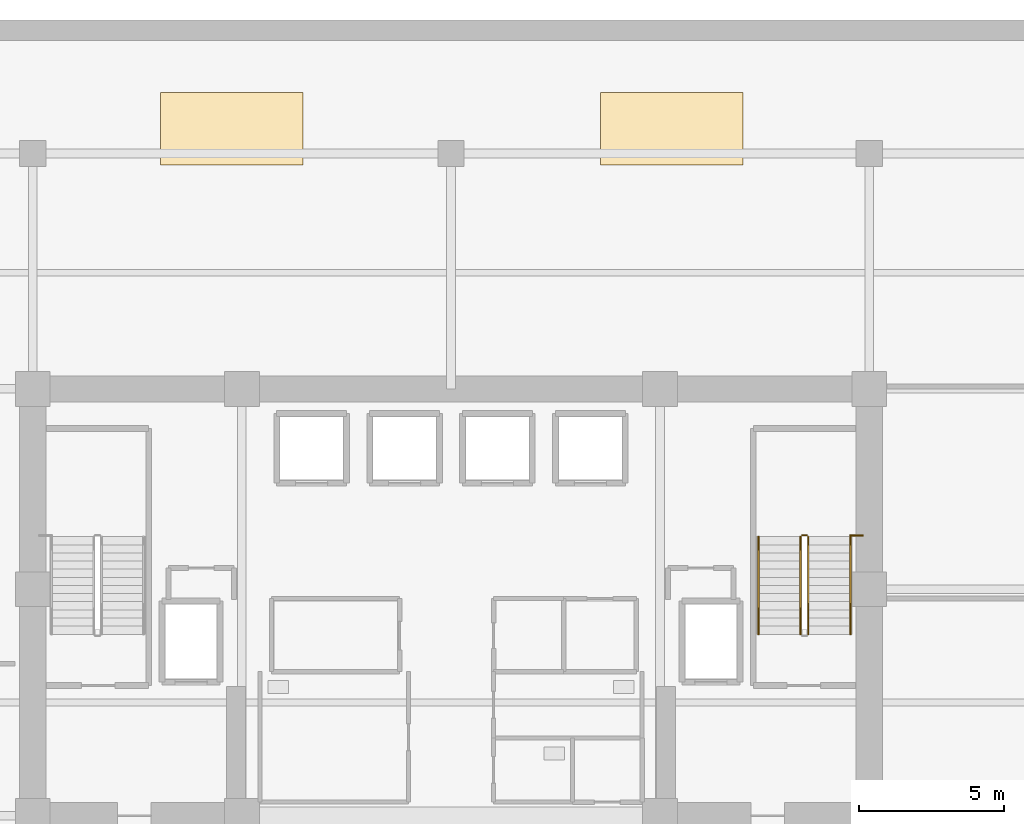
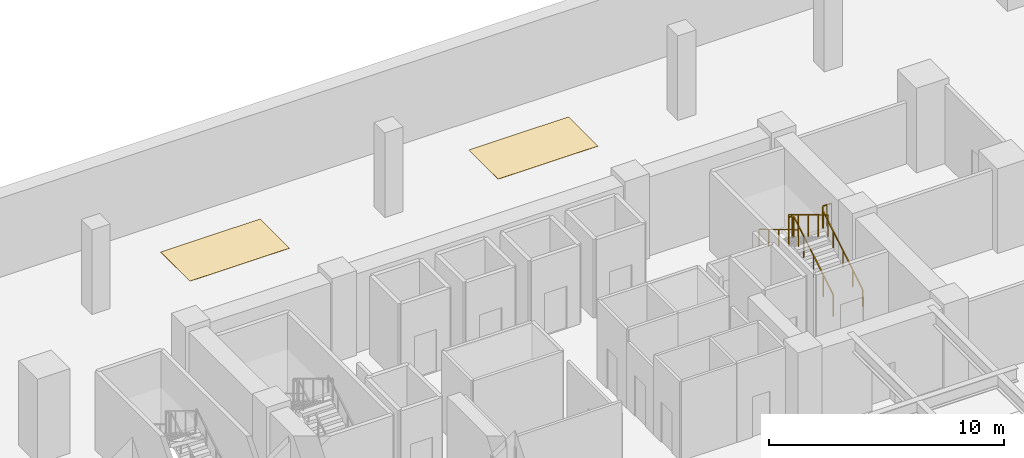
# One storey, part 12 of 14: 6 railings, 2 coverings.
"""IFC4 building model written with IfcOpenShell, lengths in metres."""

import ifcopenshell
import ifcopenshell.guid

model = None  # the IFC model being written
_history = None  # IfcOwnerHistory: only IFC2X3 demands one
_inside = {}  # id of a spatial element -> (the spatial element, [elements in it])
_under = {}  # id of a project, library or spatial element -> (it, [spatial elements below it])
_declared = {}  # id of a project -> (the project, [libraries it declares])
_typed = {}  # id of a type object -> (the type object, [elements of that type])
_made_of = {}  # id of a material, layer set ... -> (it, [elements and type objects made of it])


def new_model(schema):
    """Start an empty IFC model of exactly this schema.

    Asked for "IFC4X3", IfcOpenShell would pick the latest addendum, in which some entities
    have other attributes; the version numbers below select the first issue.
    IFC2X3 requires an IfcOwnerHistory on every rooted entity: one is made here for all.
    """
    global model, _history
    if schema == "IFC4X3":
        model = ifcopenshell.file(schema_version=(4, 3, 0, 0))
    else:
        model = ifcopenshell.file(schema=schema)
    _inside.clear()
    _under.clear()
    _declared.clear()
    _typed.clear()
    _made_of.clear()
    _history = None
    if model.schema == "IFC2X3":
        org = make("IfcOrganization", Name="unknown")
        user = make(
            "IfcPersonAndOrganization",
            ThePerson=make("IfcPerson", FamilyName="unknown"),
            TheOrganization=org,
        )
        app = make(
            "IfcApplication",
            ApplicationDeveloper=org,
            Version="unknown",
            ApplicationFullName="unknown",
            ApplicationIdentifier="unknown",
        )
        _history = make(
            "IfcOwnerHistory",
            OwningUser=user,
            OwningApplication=app,
            ChangeAction="ADDED",
            CreationDate=0,
        )
    return model


def make(cls, **values):
    """One entity of the class cls with the attributes given. An attribute that is None is left unset."""
    return model.create_entity(
        cls, **{name: value for name, value in values.items() if value is not None}
    )


def rooted(cls, **values):
    """An entity with a GlobalId (a new one), such as an element, a storey or a relation."""
    return make(cls, GlobalId=ifcopenshell.guid.new(), OwnerHistory=_history, **values)


def si_unit(unit_type, name, prefix=None):
    """IfcSIUnit, for example si_unit("LENGTHUNIT", "METRE", prefix="MILLI")."""
    return make("IfcSIUnit", UnitType=unit_type, Prefix=prefix, Name=name)


def assignment(units):
    """IfcUnitAssignment: the units of a project."""
    return None if units is None else make("IfcUnitAssignment", Units=units)


def point(xyz):
    """IfcCartesianPoint."""
    return None if xyz is None else make("IfcCartesianPoint", Coordinates=xyz)


def direction(xyz):
    """IfcDirection."""
    return None if xyz is None else make("IfcDirection", DirectionRatios=xyz)


def frame(location, z_axis=None, x_axis=None):
    """IfcAxis2Placement3D, a coordinate frame: its origin and axes. An axis left out is left unset."""
    return make(
        "IfcAxis2Placement3D",
        Location=point(location),
        Axis=direction(z_axis),
        RefDirection=direction(x_axis),
    )


def frame_2d(location, x_axis=None):
    """IfcAxis2Placement2D, a coordinate frame in the plane: its origin and x axis."""
    return make(
        "IfcAxis2Placement2D", Location=point(location), RefDirection=direction(x_axis)
    )


def origin():
    """The frame at (0, 0, 0) with its axes left unset."""
    return frame((0.0, 0.0, 0.0))


def origin_2d():
    """The frame at (0, 0) in the plane with its x axis left unset."""
    return frame_2d((0.0, 0.0))


def place(relative_to, where):
    """IfcLocalPlacement: puts the frame where relative to a parent placement (None: the world)."""
    return make(
        "IfcLocalPlacement", PlacementRelTo=relative_to, RelativePlacement=where
    )


def context(
    kind, dimensions, precision=None, world=None, true_north=None, identifier=None
):
    """IfcGeometricRepresentationContext, for example the 3D "Model" context."""
    return make(
        "IfcGeometricRepresentationContext",
        ContextIdentifier=identifier,
        ContextType=kind,
        CoordinateSpaceDimension=dimensions,
        Precision=precision,
        WorldCoordinateSystem=world,
        TrueNorth=true_north,
    )


def subcontext(parent, identifier, kind, view, scale=None):
    """IfcGeometricRepresentationSubContext, for example "Body" below "Model"."""
    return make(
        "IfcGeometricRepresentationSubContext",
        ContextIdentifier=identifier,
        ContextType=kind,
        ParentContext=parent,
        TargetScale=scale,
        TargetView=view,
    )


def project(units=None, contexts=None):
    """IfcProject with its units and contexts."""
    return rooted(
        "IfcProject",
        Name="project",
        RepresentationContexts=contexts,
        UnitsInContext=assignment(units),
    )


def spatial(cls, under=None, at=None, **own):
    """A site, building, storey or space (cls), placed at a placement, below another one or the project."""
    s = rooted(cls, ObjectPlacement=at, **own)
    if under is not None:
        _under.setdefault(under.id(), (under, []))[1].append(s)
    return s


def polyline(points):
    """IfcPolyline through the points."""
    return make("IfcPolyline", Points=[point(p) for p in points])


def profile(cls, at=None, kind="AREA", **sizes):
    """A parametric profile (cls). Its sizes go by their IFC names, for example OverallWidth=200.0."""
    return make(cls, ProfileType=kind, Position=at, **sizes)


def rectangle(**sizes):
    """IfcRectangleProfileDef."""
    return profile("IfcRectangleProfileDef", **sizes)


def outline(outer, holes=None, kind="AREA"):
    """IfcArbitraryClosedProfileDef: a profile drawn as a closed curve; with holes, ...WithVoids."""
    if holes is None:
        return make("IfcArbitraryClosedProfileDef", ProfileType=kind, OuterCurve=outer)
    return make(
        "IfcArbitraryProfileDefWithVoids",
        ProfileType=kind,
        OuterCurve=outer,
        InnerCurves=holes,
    )


def extrude(swept, where, along, depth):
    """IfcExtrudedAreaSolid: the profile swept, set in the frame where, extruded along a direction by depth."""
    return make(
        "IfcExtrudedAreaSolid",
        SweptArea=swept,
        Position=where,
        ExtrudedDirection=direction(along),
        Depth=depth,
    )


def shape(context_of_items, identifier, shape_type, items):
    """IfcShapeRepresentation: the items that make up one representation, for example the "Body"."""
    return make(
        "IfcShapeRepresentation",
        ContextOfItems=context_of_items,
        RepresentationIdentifier=identifier,
        RepresentationType=shape_type,
        Items=items,
    )


def material(Name=None, Category=None):
    """IfcMaterial."""
    return make("IfcMaterial", Name=Name, Category=Category)


def layer(
    of_material, thickness, ventilated=None, Name=None, Category=None, Priority=None
):
    """IfcMaterialLayer: one layer of a wall or slab, of a material (None: an air gap)."""
    return make(
        "IfcMaterialLayer",
        Material=of_material,
        LayerThickness=thickness,
        IsVentilated=ventilated,
        Name=Name,
        Category=Category,
        Priority=Priority,
    )


def layer_set(layers, Name=None):
    """IfcMaterialLayerSet."""
    return make("IfcMaterialLayerSet", MaterialLayers=layers, LayerSetName=Name)


def made_of(thing, what):
    """Note that an element or type object is made of a material, layer set ...; save() writes the relation."""
    if what is not None:
        _made_of.setdefault(what.id(), (what, []))[1].append(thing)
    return thing


def type_object(cls, material=None, **own):
    """A type object (cls), such as IfcWallType, which elements share."""
    return made_of(rooted(cls, **own), material)


def element(
    cls,
    number,
    at=None,
    inside=None,
    cuts=None,
    type_object=None,
    material=None,
    context=None,
    identifier="Body",
    shape_type=None,
    held_by="IfcProductDefinitionShape",
    body=None,
    shapes=None,
    **own,
):
    """One element of the class cls, such as IfcWall. Its Tag is "e" and its number.

    at: its placement. inside: the storey or other place that contains it. cuts: it is an
    opening in that element (IfcRelVoidsElement). A single representation is given by context,
    identifier, shape_type and body (its items); several are given by shapes. held_by: the class
    of the entity that holds the representations. save() writes the other relations.
    """
    e = rooted(cls, Tag="e%d" % number, ObjectPlacement=at, **own)
    if body is not None:
        shapes = [shape(context, identifier, shape_type, body)]
    if shapes is not None:
        e.Representation = make(held_by, Representations=shapes)
    if inside is not None:
        _inside.setdefault(inside.id(), (inside, []))[1].append(e)
    if cuts is not None:
        rooted(
            "IfcRelVoidsElement", RelatingBuildingElement=cuts, RelatedOpeningElement=e
        )
    if type_object is not None:
        _typed.setdefault(type_object.id(), (type_object, []))[1].append(e)
    return made_of(e, material)


def aggregate(whole, parts):
    """IfcRelAggregates: a whole, such as a stair, and the parts it consists of."""
    return rooted("IfcRelAggregates", RelatingObject=whole, RelatedObjects=parts)


def save(model, path):
    """Write the relations noted so far, then the file.

    IfcRelAggregates (storeys below a building ...), IfcRelContainedInSpatialStructure (elements
    in a storey), IfcRelDefinesByType, IfcRelAssociatesMaterial and IfcRelDeclares: one each for
    every whole, place, type object, material and project.
    """
    for whole, parts in _under.values():
        aggregate(whole, parts)
    for where, things in _inside.values():
        rooted(
            "IfcRelContainedInSpatialStructure",
            RelatedElements=things,
            RelatingStructure=where,
        )
    for kind, things in _typed.values():
        rooted("IfcRelDefinesByType", RelatedObjects=things, RelatingType=kind)
    for what, things in _made_of.values():
        rooted("IfcRelAssociatesMaterial", RelatedObjects=things, RelatingMaterial=what)
    for by, libraries in _declared.values():
        rooted("IfcRelDeclares", RelatingContext=by, RelatedDefinitions=libraries)
    model.write(path)


model = new_model("IFC4")

# Units and contexts
model_context = context("Model", 3, precision=1e-05, world=origin(), true_north=direction((0.0, 1.0)))
body_context = subcontext(model_context, "Body", "Model", "MODEL_VIEW")
ifc_project = project(units=[si_unit("LENGTHUNIT", "METRE"), si_unit("AREAUNIT", "SQUARE_METRE"), si_unit("VOLUMEUNIT", "CUBIC_METRE"), si_unit("PLANEANGLEUNIT", "RADIAN"), si_unit("MASSUNIT", "GRAM", prefix="KILO")], contexts=[model_context])

# Site, building, storey
site_placement = place(None, origin())
site = spatial("IfcSite", under=ifc_project, at=site_placement, CompositionType="ELEMENT")
building_placement = place(site_placement, origin())
building = spatial("IfcBuilding", under=site, at=building_placement, Name="Zarnakvel Exchange Tower", CompositionType="ELEMENT")
storey_placement = place(building_placement, frame((0.0, 0.0, -4.39990234375)))
storey = spatial("IfcBuildingStorey", under=building, at=storey_placement, Name="B01", CompositionType="ELEMENT", Elevation=-4.39990234375)

# Railings
ifc_material_1 = material(Name="Brushed Stainless Steel", Category="steel")
railing_type_1 = type_object("IfcRailingType", Name="HR-01", PredefinedType="HANDRAIL", material=ifc_material_1)
railing_1_placement = place(storey_placement, frame((13.75, 5.050048828125, 0.169189453125)))
element("IfcRailing", 1, at=railing_1_placement, inside=storey, type_object=railing_type_1, Name="B01 ST-02 stair handrail 1", PredefinedType="HANDRAIL", context=body_context, shape_type="SweptSolid", body=[
    extrude(rectangle(XDim=0.048095703125, YDim=0.048095703125, at=origin_2d()), frame((0.0, 0.0, 0.8759765625), z_axis=(0.0, 0.855820338506, 0.51727318527), x_axis=(-1.0, 0.0, 0.0)), (0.0, 0.0, 1.0), 3.92578125),
    extrude(rectangle(XDim=0.0419921875, YDim=0.0419921875, at=origin_2d()), origin(), (0.0, 0.0, 1.0), 0.851806640625),
    extrude(rectangle(XDim=0.0419921875, YDim=0.0419921875, at=origin_2d()), frame((0.0, 0.83984375, 0.5078125)), (0.0, 0.0, 1.0), 0.851806640625),
    extrude(rectangle(XDim=0.0419921875, YDim=0.0419921875, at=origin_2d()), frame((0.0, 1.679931640625, 1.015380859375)), (0.0, 0.0, 1.0), 0.851806640625),
    extrude(rectangle(XDim=0.0419921875, YDim=0.0419921875, at=origin_2d()), frame((0.0, 2.52001953125, 1.52294921875)), (0.0, 0.0, 1.0), 0.851806640625),
    extrude(rectangle(XDim=0.0419921875, YDim=0.0419921875, at=origin_2d()), frame((0.0, 3.35986328125, 2.03076171875)), (0.0, 0.0, 1.0), 0.851806640625),
])
railing_2_placement = place(storey_placement, frame((10.590087890625, 8.409912109375, 2.369140625)))
element("IfcRailing", 2, at=railing_2_placement, inside=storey, type_object=railing_type_1, Name="B01 ST-02 stair handrail 2", PredefinedType="HANDRAIL", context=body_context, shape_type="SweptSolid", body=[
    extrude(rectangle(XDim=0.048095703125, YDim=0.048095703125, at=origin_2d()), frame((0.0, 0.0, 0.8759765625), z_axis=(0.0, -0.855820338506, 0.51727318527), x_axis=(1.0, 0.0, 0.0)), (0.0, 0.0, 1.0), 3.92578125),
    extrude(rectangle(XDim=0.0419921875, YDim=0.0419921875, at=origin_2d()), origin(), (0.0, 0.0, 1.0), 0.851806640625),
    extrude(rectangle(XDim=0.0419921875, YDim=0.0419921875, at=origin_2d()), frame((0.0, -0.83984375, 0.5078125)), (0.0, 0.0, 1.0), 0.851806640625),
    extrude(rectangle(XDim=0.0419921875, YDim=0.0419921875, at=origin_2d()), frame((0.0, -1.679931640625, 1.015380859375)), (0.0, 0.0, 1.0), 0.851806640625),
    extrude(rectangle(XDim=0.0419921875, YDim=0.0419921875, at=origin_2d()), frame((0.0, -2.52001953125, 1.52294921875)), (0.0, 0.0, 1.0), 0.851806640625),
    extrude(rectangle(XDim=0.0419921875, YDim=0.0419921875, at=origin_2d()), frame((0.0, -3.35986328125, 2.03076171875)), (0.0, 0.0, 1.0), 0.851806640625),
])

# Coverings
ifc_material_2 = material(Name="Thermoplastic Acrylic Bay Marking", Category="finish")
ifc_layer = layer(ifc_material_2, 0.010009765625)
ifc_layer_set = layer_set([ifc_layer], Name="Thermoplastic Acrylic Bay Marking")
covering_type = type_object("IfcCoveringType", Name="MK-01", PredefinedType="FLOORING", material=ifc_layer_set)
covering_1_placement = place(storey_placement, origin())
element("IfcCovering", 3, at=covering_1_placement, inside=storey, type_object=covering_type, Name="B01 Standard Parking Bay Marking B01-38", PredefinedType="FLOORING", context=body_context, shape_type="SweptSolid", body=[
    extrude(outline(polyline([(-10.0, 21.199951171875), (-5.10009765625, 21.199951171875), (-5.10009765625, 23.699951171875), (-10.0, 23.699951171875), (-10.0, 21.199951171875)])), origin(), (0.0, 0.0, 1.0), 0.010009765625),
])
covering_2_placement = place(storey_placement, origin())
element("IfcCovering", 4, at=covering_2_placement, inside=storey, type_object=covering_type, Name="B01 Standard Parking Bay Marking B01-39", PredefinedType="FLOORING", context=body_context, shape_type="SweptSolid", body=[
    extrude(outline(polyline([(5.14990234375, 21.199951171875), (10.050048828125, 21.199951171875), (10.050048828125, 23.699951171875), (5.14990234375, 23.699951171875), (5.14990234375, 21.199951171875)])), origin(), (0.0, 0.0, 1.0), 0.010009765625),
])

# Railings
ifc_material_3 = material(Name="Architectural Bronze Anodised Aluminium", Category="aluminium")
railing_type_2 = type_object("IfcRailingType", Name="SG-01", PredefinedType="GUARDRAIL", material=ifc_material_3)
railing_3_placement = place(storey_placement, frame((12.300048828125, 5.050048828125, 0.169189453125)))
element("IfcRailing", 5, at=railing_3_placement, inside=storey, type_object=railing_type_2, Name="B01 ST-02 stair guard 1", PredefinedType="GUARDRAIL", context=body_context, shape_type="SweptSolid", body=[
    extrude(rectangle(XDim=0.048095703125, YDim=0.048095703125, at=origin_2d()), frame((0.0, 0.0, 1.1259765625), z_axis=(0.0, 0.855820338506, 0.51727318527), x_axis=(-1.0, 0.0, 0.0)), (0.0, 0.0, 1.0), 3.92578125),
    extrude(rectangle(XDim=0.0419921875, YDim=0.0419921875, at=origin_2d()), origin(), (0.0, 0.0, 1.0), 1.101806640625),
    extrude(rectangle(XDim=0.0419921875, YDim=0.0419921875, at=origin_2d()), frame((0.0, 0.83984375, 0.5078125)), (0.0, 0.0, 1.0), 1.101806640625),
    extrude(rectangle(XDim=0.0419921875, YDim=0.0419921875, at=origin_2d()), frame((0.0, 1.679931640625, 1.015380859375)), (0.0, 0.0, 1.0), 1.101806640625),
    extrude(rectangle(XDim=0.0419921875, YDim=0.0419921875, at=origin_2d()), frame((0.0, 2.52001953125, 1.52294921875)), (0.0, 0.0, 1.0), 1.101806640625),
    extrude(rectangle(XDim=0.0419921875, YDim=0.0419921875, at=origin_2d()), frame((0.0, 3.35986328125, 2.03076171875)), (0.0, 0.0, 1.0), 1.101806640625),
])
railing_4_placement = place(storey_placement, frame((12.25, 8.4599609375, 2.199951171875)))
element("IfcRailing", 6, at=railing_4_placement, inside=storey, type_object=railing_type_2, Name="B01 ST-02 stair guard 2", PredefinedType="GUARDRAIL", context=body_context, shape_type="SweptSolid", body=[
    extrude(rectangle(XDim=0.048095703125, YDim=0.048095703125, at=origin_2d()), frame((0.0, 0.0, 1.1259765625), z_axis=(-1.0, 0.0, 0.0), x_axis=(0.0, -1.0, 0.0)), (0.0, 0.0, 1.0), 0.159912109375),
    extrude(rectangle(XDim=0.0419921875, YDim=0.0419921875, at=origin_2d()), origin(), (0.0, 0.0, 1.0), 1.101806640625),
    extrude(rectangle(XDim=0.0419921875, YDim=0.0419921875, at=origin_2d()), frame((-0.159912109375, 0.0, 0.0)), (0.0, 0.0, 1.0), 1.101806640625),
])
railing_5_placement = place(storey_placement, frame((12.0400390625, 8.409912109375, 2.369140625)))
element("IfcRailing", 7, at=railing_5_placement, inside=storey, type_object=railing_type_2, Name="B01 ST-02 stair guard 3", PredefinedType="GUARDRAIL", context=body_context, shape_type="SweptSolid", body=[
    extrude(rectangle(XDim=0.048095703125, YDim=0.048095703125, at=origin_2d()), frame((0.0, 0.0, 1.1259765625), z_axis=(0.0, -0.855820338506, 0.51727318527), x_axis=(1.0, 0.0, 0.0)), (0.0, 0.0, 1.0), 3.92578125),
    extrude(rectangle(XDim=0.0419921875, YDim=0.0419921875, at=origin_2d()), origin(), (0.0, 0.0, 1.0), 1.101806640625),
    extrude(rectangle(XDim=0.0419921875, YDim=0.0419921875, at=origin_2d()), frame((0.0, -0.83984375, 0.5078125)), (0.0, 0.0, 1.0), 1.101806640625),
    extrude(rectangle(XDim=0.0419921875, YDim=0.0419921875, at=origin_2d()), frame((0.0, -1.679931640625, 1.015380859375)), (0.0, 0.0, 1.0), 1.101806640625),
    extrude(rectangle(XDim=0.0419921875, YDim=0.0419921875, at=origin_2d()), frame((0.0, -2.52001953125, 1.52294921875)), (0.0, 0.0, 1.0), 1.101806640625),
    extrude(rectangle(XDim=0.0419921875, YDim=0.0419921875, at=origin_2d()), frame((0.0, -3.35986328125, 2.03076171875)), (0.0, 0.0, 1.0), 1.101806640625),
])
railing_6_placement = place(storey_placement, frame((13.75, 8.449951171875, 2.199951171875)))
element("IfcRailing", 8, at=railing_6_placement, inside=storey, type_object=railing_type_2, Name="B01 ST-02 Landing Slot Guardrail", PredefinedType="GUARDRAIL", context=body_context, shape_type="SweptSolid", body=[
    extrude(rectangle(XDim=0.048095703125, YDim=0.048095703125, at=origin_2d()), frame((0.0, 0.0, 1.1259765625), z_axis=(1.0, 0.0, 0.0), x_axis=(0.0, 1.0, 0.0)), (0.0, 0.0, 1.0), 0.429931640625),
    extrude(rectangle(XDim=0.0419921875, YDim=0.0419921875, at=origin_2d()), origin(), (0.0, 0.0, 1.0), 1.101806640625),
    extrude(rectangle(XDim=0.0419921875, YDim=0.0419921875, at=origin_2d()), frame((0.21484375, 0.0, 0.0)), (0.0, 0.0, 1.0), 1.101806640625),
    extrude(rectangle(XDim=0.0419921875, YDim=0.0419921875, at=origin_2d()), frame((0.429931640625, 0.0, 0.0)), (0.0, 0.0, 1.0), 1.101806640625),
])

save(model, "model.ifc")
